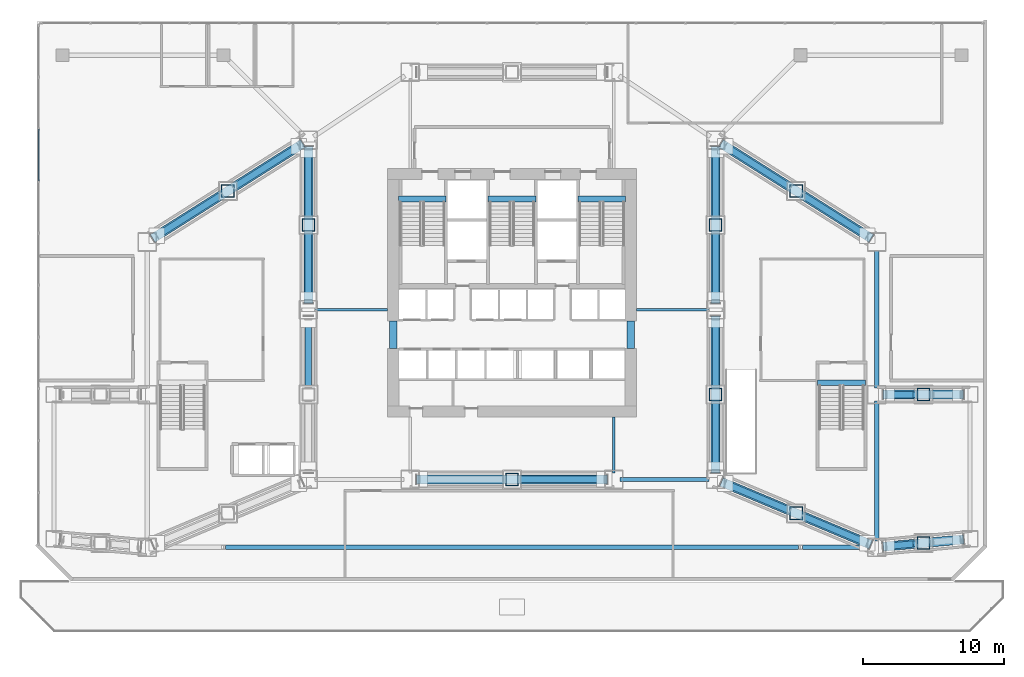
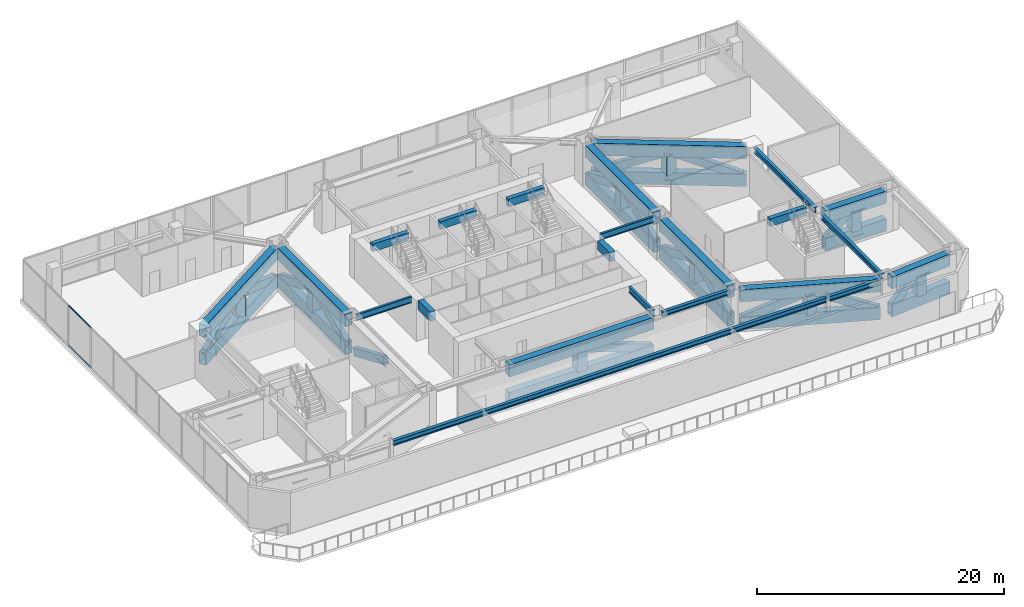
# One storey, part 9 of 39: 32 beams, 27 members, 1 element without a shape of its own.
"""IFC4 building model written with IfcOpenShell, lengths in metres."""

from ifc_helpers import new_model, si_unit, direction, frame, origin, origin_2d, place, context, subcontext, project, spatial, rectangle, hollow_rectangle, i_section, extrude, material, layer, layer_set, material_profile, profile_set, type_object, element, aggregate, save


model = new_model("IFC4")

# Units and contexts
model_context = context("Model", 3, precision=1e-05, world=origin(), true_north=direction((0.0, 1.0)))
body_context = subcontext(model_context, "Body", "Model", "MODEL_VIEW")
ifc_project = project(units=[si_unit("LENGTHUNIT", "METRE"), si_unit("AREAUNIT", "SQUARE_METRE"), si_unit("VOLUMEUNIT", "CUBIC_METRE"), si_unit("PLANEANGLEUNIT", "RADIAN"), si_unit("MASSUNIT", "GRAM", prefix="KILO")], contexts=[model_context])

# Site, building, storey
site_placement = place(None, origin())
site = spatial("IfcSite", under=ifc_project, at=site_placement, CompositionType="ELEMENT")
building_placement = place(site_placement, origin())
building = spatial("IfcBuilding", under=site, at=building_placement, Name="Haolan Belvedere Tower", CompositionType="ELEMENT")
storey_placement = place(building_placement, frame((0.0, 0.0, 19.800048828125)))
storey = spatial("IfcBuildingStorey", under=building, at=storey_placement, Name="L04", CompositionType="ELEMENT", Elevation=19.800048828125)

# Beams
ifc_material_1 = material(Name="Steel Q420GJC", Category="steel")
ifc_material_profile_1 = material_profile(ifc_material_1, hollow_rectangle(XDim=0.64990234375, YDim=1.199951171875, WallThickness=0.0400390625, at=origin_2d()), Name="Steel Q420GJC")
ifc_profile_set_1 = profile_set([ifc_material_profile_1], Name="Steel Q420GJC")
beam_type_1 = type_object("IfcBeamType", Name="BM-BOX1200x650x40", PredefinedType="BEAM", material=ifc_profile_set_1)
for number, where, z_axis, x_axis, name in (
    (1, (24.0, 34.050048828125, 3.33984375), (0.0, 1.0, 0.0), (-1.0, 0.0, 0.0), "L04 transfer truss TT-T3-W2 top chord"),
    (2, (24.0, 34.050048828125, 0.599853515625), (0.0, 1.0, 0.0), (-1.0, 0.0, 0.0), "L04 transfer truss TT-T3-W2 bottom chord"),
    (3, (52.800048828125, 22.050048828125, 3.33984375), (0.0, 1.0, 0.0), (-1.0, 0.0, 0.0), "L04 transfer truss TT-T3-E1 top chord"),
    (4, (52.800048828125, 22.050048828125, 0.599853515625), (0.0, 1.0, 0.0), (-1.0, 0.0, 0.0), "L04 transfer truss TT-T3-E1 bottom chord"),
    (5, (52.800048828125, 34.050048828125, 3.33984375), (0.0, 1.0, 0.0), (-1.0, 0.0, 0.0), "L04 transfer truss TT-T3-E2 top chord"),
    (6, (52.800048828125, 34.050048828125, 0.599853515625), (0.0, 1.0, 0.0), (-1.0, 0.0, 0.0), "L04 transfer truss TT-T3-E2 bottom chord"),
):
    element("IfcBeam", number, at=place(storey_placement, frame(where, z_axis=z_axis, x_axis=x_axis)), inside=storey, type_object=beam_type_1, Name=name, PredefinedType="BEAM", context=body_context, shape_type="SweptSolid", body=[
        extrude(hollow_rectangle(XDim=0.64990234375, YDim=1.199951171875, WallThickness=0.0400390625, at=origin_2d()), origin(), (0.0, 0.0, 1.0), 11.099853515625),
    ])
for number, where, z_axis, x_axis, name in (
    (7, (31.64990234375, 21.60009765625, 3.33984375), (1.0, 0.0, 0.0), (0.0, 1.0, 0.0), "L04 transfer truss TT-T3-SM top chord"),
    (8, (31.64990234375, 21.60009765625, 0.599853515625), (1.0, 0.0, 0.0), (0.0, 1.0, 0.0), "L04 transfer truss TT-T3-SM bottom chord"),
):
    element("IfcBeam", number, at=place(storey_placement, frame(where, z_axis=z_axis, x_axis=x_axis)), inside=storey, type_object=beam_type_1, Name=name, PredefinedType="BEAM", context=body_context, shape_type="SweptSolid", body=[
        extrude(hollow_rectangle(XDim=0.64990234375, YDim=1.199951171875, WallThickness=0.0400390625, at=origin_2d()), origin(), (0.0, 0.0, 1.0), 13.5),
    ])
for number, where, z_axis, x_axis, name in (
    (9, (12.98046875, 38.640380859375, 3.33984375), (0.845497201575, 0.5339798518, 0.0), (-0.5339798518, 0.845497201575, 0.0), "L04 transfer truss TT-T2-N top chord"),
    (10, (12.98046875, 38.640380859375, 0.599853515625), (0.845497201575, 0.5339798518, 0.0), (-0.5339798518, 0.845497201575, 0.0), "L04 transfer truss TT-T2-N bottom chord"),
):
    element("IfcBeam", number, at=place(storey_placement, frame(where, z_axis=z_axis, x_axis=x_axis)), inside=storey, type_object=beam_type_1, Name=name, PredefinedType="BEAM", context=body_context, shape_type="SweptSolid", body=[
        extrude(hollow_rectangle(XDim=0.64990234375, YDim=1.199951171875, WallThickness=0.0400390625, at=origin_2d()), origin(), (0.0, 0.0, 1.0), 12.583251953125),
    ])
for number, where, z_axis, x_axis, name in (
    (11, (53.21484375, 21.42529296875, 3.33984375), (0.92163457375, -0.38805890335, 0.0), (0.38805890335, 0.92163457375, 0.0), "L04 transfer truss TT-T4-S top chord"),
    (12, (53.21484375, 21.42529296875, 0.599853515625), (0.92163457375, -0.38805890335, 0.0), (0.38805890335, 0.92163457375, 0.0), "L04 transfer truss TT-T4-S bottom chord"),
):
    element("IfcBeam", number, at=place(storey_placement, frame(where, z_axis=z_axis, x_axis=x_axis)), inside=storey, type_object=beam_type_1, Name=name, PredefinedType="BEAM", context=body_context, shape_type="SweptSolid", body=[
        extrude(hollow_rectangle(XDim=0.64990234375, YDim=1.199951171875, WallThickness=0.0400390625, at=origin_2d()), origin(), (0.0, 0.0, 1.0), 11.468994140625),
    ])
for number, where, z_axis, x_axis, name in (
    (13, (53.180419921875, 45.359619140625, 3.33984375), (0.845497201575, -0.5339798518, 0.0), (0.5339798518, 0.845497201575, 0.0), "L04 transfer truss TT-T4-N top chord"),
    (14, (53.180419921875, 45.359619140625, 0.599853515625), (0.845497201575, -0.5339798518, 0.0), (0.5339798518, 0.845497201575, 0.0), "L04 transfer truss TT-T4-N bottom chord"),
):
    element("IfcBeam", number, at=place(storey_placement, frame(where, z_axis=z_axis, x_axis=x_axis)), inside=storey, type_object=beam_type_1, Name=name, PredefinedType="BEAM", context=body_context, shape_type="SweptSolid", body=[
        extrude(hollow_rectangle(XDim=0.64990234375, YDim=1.199951171875, WallThickness=0.0400390625, at=origin_2d()), origin(), (0.0, 0.0, 1.0), 12.583251953125),
    ])
for number, where, z_axis, x_axis, name in (
    (15, (64.648193359375, 16.8408203125, 3.33984375), (0.995892507606, 0.090543433189, 0.0), (-0.090543433189, 0.995892507606, 0.0), "L04 transfer truss TT-T5-S top chord"),
    (16, (64.648193359375, 16.8408203125, 0.599853515625), (0.995892507606, 0.090543433189, 0.0), (-0.090543433189, 0.995892507606, 0.0), "L04 transfer truss TT-T5-S bottom chord"),
):
    element("IfcBeam", number, at=place(storey_placement, frame(where, z_axis=z_axis, x_axis=x_axis)), inside=storey, type_object=beam_type_1, Name=name, PredefinedType="BEAM", context=body_context, shape_type="SweptSolid", body=[
        extrude(hollow_rectangle(XDim=0.64990234375, YDim=1.199951171875, WallThickness=0.0400390625, at=origin_2d()), origin(), (0.0, 0.0, 1.0), 5.72705078125),
    ])
for number, where, z_axis, x_axis, name in (
    (17, (64.64990234375, 27.60009765625, 3.33984375), (1.0, 0.0, 0.0), (0.0, 1.0, 0.0), "L04 transfer truss TT-T5-N top chord"),
    (18, (64.64990234375, 27.60009765625, 0.599853515625), (1.0, 0.0, 0.0), (0.0, 1.0, 0.0), "L04 transfer truss TT-T5-N bottom chord"),
):
    element("IfcBeam", number, at=place(storey_placement, frame(where, z_axis=z_axis, x_axis=x_axis)), inside=storey, type_object=beam_type_1, Name=name, PredefinedType="BEAM", context=body_context, shape_type="SweptSolid", body=[
        extrude(hollow_rectangle(XDim=0.64990234375, YDim=1.199951171875, WallThickness=0.0400390625, at=origin_2d()), origin(), (0.0, 0.0, 1.0), 5.7001953125),
    ])
ifc_material_2 = material(Name="Steel Q355B", Category="steel")
ifc_material_profile_2 = material_profile(ifc_material_2, i_section(OverallWidth=0.300048828125, OverallDepth=0.488037109375, WebThickness=0.010986328125, FlangeThickness=0.01806640625, FilletRadius=0.02587890625, at=origin_2d()), Name="Steel Q355B")
ifc_profile_set_2 = profile_set([ifc_material_profile_2], Name="Steel Q355B")
beam_type_2 = type_object("IfcBeamType", Name="BM-HM488x300x11x18", PredefinedType="SPANDREL", material=ifc_profile_set_2)
beam_1_placement = place(storey_placement, frame((46.050048828125, 21.60009765625, 3.755859375), z_axis=(1.0, 0.0, 0.0), x_axis=(0.0, 1.0, 0.0)))
element("IfcBeam", 19, at=beam_1_placement, inside=storey, type_object=beam_type_2, Name="L04 spandrel girder MC-T3-S2-MC-T3-SE", PredefinedType="SPANDREL", context=body_context, shape_type="SweptSolid", body=[
    extrude(i_section(OverallWidth=0.300048828125, OverallDepth=0.488037109375, WebThickness=0.010986328125, FlangeThickness=0.01806640625, FilletRadius=0.02587890625, at=origin_2d()), origin(), (0.0, 0.0, 1.0), 6.300048828125),
])
for number, where, z_axis, x_axis, name in (
    (20, (64.199951171875, 17.25, 3.755859375), (0.0, 1.0, 0.0), (-1.0, 0.0, 0.0), "L04 spandrel girder MC-T4-SE-MC-T4-ME"),
    (21, (64.199951171875, 28.050048828125, 3.755859375), (0.0, 1.0, 0.0), (-1.0, 0.0, 0.0), "L04 spandrel girder MC-T4-ME-MC-T4-NE"),
):
    element("IfcBeam", number, at=place(storey_placement, frame(where, z_axis=z_axis, x_axis=x_axis)), inside=storey, type_object=beam_type_2, Name=name, PredefinedType="SPANDREL", context=body_context, shape_type="SweptSolid", body=[
        extrude(i_section(OverallWidth=0.300048828125, OverallDepth=0.488037109375, WebThickness=0.010986328125, FlangeThickness=0.01806640625, FilletRadius=0.02587890625, at=origin_2d()), origin(), (0.0, 0.0, 1.0), 9.89990234375),
    ])
beam_2_placement = place(storey_placement, frame((18.14990234375, 16.800048828125, 3.716064453125), z_axis=(1.0, 0.0, 0.0), x_axis=(0.0, 1.0, 0.0)))
element("IfcBeam", 22, at=beam_2_placement, inside=storey, type_object=beam_type_2, Name="L04 spandrel girder PC-CS4-W-PC-CS4-E", PredefinedType="SPANDREL", context=body_context, shape_type="SweptSolid", body=[
    extrude(i_section(OverallWidth=0.300048828125, OverallDepth=0.488037109375, WebThickness=0.010986328125, FlangeThickness=0.01806640625, FilletRadius=0.02587890625, at=origin_2d()), origin(), (0.0, 0.0, 1.0), 40.5),
])
beam_3_placement = place(storey_placement, frame((58.949951171875, 16.800048828125, 3.716064453125), z_axis=(1.0, 0.0, 0.0), x_axis=(0.0, 1.0, 0.0)))
element("IfcBeam", 23, at=beam_3_placement, inside=storey, type_object=beam_type_2, Name="L04 spandrel girder PC-CS4-E-MC-T4-SE", PredefinedType="SPANDREL", context=body_context, shape_type="SweptSolid", body=[
    extrude(i_section(OverallWidth=0.300048828125, OverallDepth=0.488037109375, WebThickness=0.010986328125, FlangeThickness=0.01806640625, FilletRadius=0.02587890625, at=origin_2d()), origin(), (0.0, 0.0, 1.0), 4.800048828125),
])
ifc_material_profile_3 = material_profile(ifc_material_2, i_section(OverallWidth=0.199951171875, OverallDepth=0.60009765625, WebThickness=0.010986328125, FlangeThickness=0.01708984375, FilletRadius=0.02197265625, at=origin_2d()), Name="Steel Q355B")
ifc_profile_set_3 = profile_set([ifc_material_profile_3], Name="Steel Q355B")
beam_type_3 = type_object("IfcBeamType", Name="BM-HN600x200x11x17", PredefinedType="BEAM", material=ifc_profile_set_3)
for number, where, z_axis, x_axis, name in (
    (24, (24.449951171875, 33.60009765625, 3.699951171875), (1.0, 0.0, 0.0), (0.0, 1.0, 0.0), "L04 core tie beam from MC-T3-MW"),
    (25, (52.35009765625, 33.60009765625, 3.699951171875), (-1.0, 0.0, 0.0), (0.0, -1.0, 0.0), "L04 core tie beam from MC-T3-ME"),
):
    element("IfcBeam", number, at=place(storey_placement, frame(where, z_axis=z_axis, x_axis=x_axis)), inside=storey, type_object=beam_type_3, Name=name, PredefinedType="BEAM", context=body_context, shape_type="SweptSolid", body=[
        extrude(i_section(OverallWidth=0.199951171875, OverallDepth=0.60009765625, WebThickness=0.010986328125, FlangeThickness=0.01708984375, FilletRadius=0.02197265625, at=origin_2d()), origin(), (0.0, 0.0, 1.0), 5.150146484375),
    ])
beam_4_placement = place(storey_placement, frame((45.60009765625, 22.050048828125, 3.699951171875), z_axis=(0.0, 1.0, 0.0), x_axis=(-1.0, 0.0, 0.0)))
element("IfcBeam", 26, at=beam_4_placement, inside=storey, type_object=beam_type_3, Name="L04 core tie beam from MC-T3-S2", PredefinedType="BEAM", context=body_context, shape_type="SweptSolid", body=[
    extrude(i_section(OverallWidth=0.199951171875, OverallDepth=0.60009765625, WebThickness=0.010986328125, FlangeThickness=0.01708984375, FilletRadius=0.02197265625, at=origin_2d()), origin(), (0.0, 0.0, 1.0), 3.949951171875),
])
ifc_material_3 = material(Name="Concrete C50/60", Category="concrete")
ifc_material_profile_4 = material_profile(ifc_material_3, rectangle(XDim=0.39990234375, YDim=0.75, at=origin_2d()), Name="Concrete C50/60")
ifc_profile_set_4 = profile_set([ifc_material_profile_4], Name="Concrete C50/60")
beam_type_4 = type_object("IfcBeamType", Name="BM-RC400x750", PredefinedType="T_BEAM", material=ifc_profile_set_4)
beam_5_placement = place(storey_placement, frame((30.3798828125, 41.429931640625, 3.824951171875), z_axis=(1.0, 0.0, 0.0), x_axis=(0.0, 1.0, 0.0)))
element("IfcBeam", 27, at=beam_5_placement, inside=storey, type_object=beam_type_4, Name="L05 stair ST1 RC header trimmer beam", PredefinedType="BEAM", context=body_context, shape_type="SweptSolid", body=[
    extrude(rectangle(XDim=0.39990234375, YDim=0.75, at=origin_2d()), origin(), (0.0, 0.0, 1.0), 3.360107421875),
])
beam_6_placement = place(storey_placement, frame((36.699951171875, 41.429931640625, 3.824951171875), z_axis=(1.0, 0.0, 0.0), x_axis=(0.0, 1.0, 0.0)))
element("IfcBeam", 28, at=beam_6_placement, inside=storey, type_object=beam_type_4, Name="L05 stair ST3 RC header trimmer beam", PredefinedType="BEAM", context=body_context, shape_type="SweptSolid", body=[
    extrude(rectangle(XDim=0.39990234375, YDim=0.75, at=origin_2d()), origin(), (0.0, 0.0, 1.0), 3.400146484375),
])
beam_7_placement = place(storey_placement, frame((43.06005859375, 41.429931640625, 3.824951171875), z_axis=(1.0, 0.0, 0.0), x_axis=(0.0, 1.0, 0.0)))
element("IfcBeam", 29, at=beam_7_placement, inside=storey, type_object=beam_type_4, Name="L05 stair ST2 RC header trimmer beam", PredefinedType="BEAM", context=body_context, shape_type="SweptSolid", body=[
    extrude(rectangle(XDim=0.39990234375, YDim=0.75, at=origin_2d()), origin(), (0.0, 0.0, 1.0), 3.35986328125),
])
beam_8_placement = place(storey_placement, frame((60.010009765625, 28.429931640625, 3.824951171875), z_axis=(1.0, 0.0, 0.0), x_axis=(0.0, 1.0, 0.0)))
element("IfcBeam", 30, at=beam_8_placement, inside=storey, type_object=beam_type_4, Name="L05 podium stair ST5 RC header trimmer beam", PredefinedType="BEAM", context=body_context, shape_type="SweptSolid", body=[
    extrude(rectangle(XDim=0.39990234375, YDim=0.75, at=origin_2d()), origin(), (0.0, 0.0, 1.0), 3.39990234375),
])
ifc_material_4 = material(Name="Concrete C60/75", Category="concrete")
ifc_material_profile_5 = material_profile(ifc_material_4, rectangle(XDim=0.5, YDim=0.89990234375, at=origin_2d()), Name="Concrete C60/75")
ifc_profile_set_5 = profile_set([ifc_material_profile_5], Name="Concrete C60/75")
beam_type_5 = type_object("IfcBeamType", Name="BM-RC500x900", PredefinedType="LINTEL", material=ifc_profile_set_5)
for number, where, z_axis, x_axis, name in (
    (31, (30.0, 30.85009765625, 3.550048828125), (0.0, 1.0, 0.0), (-1.0, 0.0, 0.0), "L04 west core coupling beam CB-01"),
    (32, (46.800048828125, 30.85009765625, 3.550048828125), (0.0, 1.0, 0.0), (-1.0, 0.0, 0.0), "L04 east core coupling beam CB-01"),
):
    element("IfcBeam", number, at=place(storey_placement, frame(where, z_axis=z_axis, x_axis=x_axis)), inside=storey, type_object=beam_type_5, Name=name, PredefinedType="LINTEL", context=body_context, shape_type="SweptSolid", body=[
        extrude(rectangle(XDim=0.5, YDim=0.89990234375, at=origin_2d()), origin(), (0.0, 0.0, 1.0), 1.949951171875),
    ])

# Curtain wall, members
ifc_material_5 = material(Name="Anodised champagne-silver aluminium 6063-T6 and Low-E glass", Category="aluminium")
ifc_layer = layer(ifc_material_5, 0.179931640625, Name="Anodised champagne-silver aluminium 6063-T6 and Low-E glass")
ifc_layer_set = layer_set([ifc_layer], Name="Anodised champagne-silver aluminium 6063-T6 and Low-E glass")
curtain_wall_type = type_object("IfcCurtainWallType", Name="CW-SYS-01", PredefinedType="NOTDEFINED", material=ifc_layer_set)
curtain_wall_placement = place(storey_placement, origin())
curtain_wall = element("IfcCurtainWall", 33, at=curtain_wall_placement, inside=storey, type_object=curtain_wall_type, Name="L04 CW-SYS-01 ribbon curtain wall 4.1", PredefinedType="NOTDEFINED")
ifc_material_6 = material(Name="Anodised aluminium 6063-T6", Category="aluminium")
ifc_material_profile_6 = material_profile(ifc_material_6, hollow_rectangle(XDim=0.06005859375, YDim=0.139892578125, WallThickness=0.00390625, at=origin_2d()), Name="Anodised aluminium 6063-T6")
ifc_profile_set_6 = profile_set([ifc_material_profile_6], Name="Anodised aluminium 6063-T6")
member_type_1 = type_object("IfcMemberType", Name="CW-SYS-01-TRN", PredefinedType="USERDEFINED", material=ifc_profile_set_6)
member_1_placement = place(storey_placement, frame((4.929931640625, 46.350341796875, 0.030029296875), z_axis=(0.0, -1.0, 0.0), x_axis=(1.0, 0.0, 0.0)))
member_1 = element("IfcMember", 34, at=member_1_placement, type_object=member_type_1, Name="CW-01 transom 3.1", ObjectType="TRANSOM", PredefinedType="USERDEFINED", context=body_context, shape_type="SweptSolid", body=[
    extrude(hollow_rectangle(XDim=0.06005859375, YDim=0.139892578125, WallThickness=0.00390625, at=origin_2d()), origin(), (0.0, 0.0, 1.0), 3.608642578125),
])
member_2_placement = place(storey_placement, frame((4.929931640625, 46.350341796875, 3.969970703125), z_axis=(0.0, -1.0, 0.0), x_axis=(1.0, 0.0, 0.0)))
member_2 = element("IfcMember", 35, at=member_2_placement, type_object=member_type_1, Name="CW-01 transom 3.2", ObjectType="TRANSOM", PredefinedType="USERDEFINED", context=body_context, shape_type="SweptSolid", body=[
    extrude(hollow_rectangle(XDim=0.06005859375, YDim=0.139892578125, WallThickness=0.00390625, at=origin_2d()), origin(), (0.0, 0.0, 1.0), 3.608642578125),
])
aggregate(curtain_wall, [member_1, member_2])

# Members
ifc_material_7 = material(Name="Steel Q390GJC", Category="steel")
ifc_material_profile_7 = material_profile(ifc_material_7, hollow_rectangle(XDim=0.449951171875, YDim=0.75, WallThickness=0.028076171875, at=origin_2d()), Name="Steel Q390GJC")
ifc_profile_set_7 = profile_set([ifc_material_profile_7], Name="Steel Q390GJC")
member_type_2 = type_object("IfcMemberType", Name="MEM-BOX750x450x28", PredefinedType="BRACE", material=ifc_profile_set_7)
member_3_placement = place(storey_placement, frame((24.0, 32.909912109375, 0.93994140625), z_axis=(0.0, -0.919824258832, 0.39233064227), x_axis=(1.0, 0.0, 0.0)))
element("IfcMember", 36, at=member_3_placement, inside=storey, type_object=member_type_2, Name="L04 transfer truss TT-T3-W1 web diagonal 2", PredefinedType="BRACE", context=body_context, shape_type="SweptSolid", body=[
    extrude(hollow_rectangle(XDim=0.449951171875, YDim=0.75, WallThickness=0.028076171875, at=origin_2d()), origin(), (0.0, 0.0, 1.0), 5.250732421875),
])
member_4_placement = place(storey_placement, frame((24.0, 34.2900390625, 0.93994140625), z_axis=(0.0, 0.919831415145, 0.392313863778), x_axis=(-1.0, 0.0, 0.0)))
element("IfcMember", 37, at=member_4_placement, inside=storey, type_object=member_type_2, Name="L04 transfer truss TT-T3-W2 web diagonal 1", PredefinedType="BRACE", context=body_context, shape_type="SweptSolid", body=[
    extrude(hollow_rectangle(XDim=0.449951171875, YDim=0.75, WallThickness=0.028076171875, at=origin_2d()), origin(), (0.0, 0.0, 1.0), 5.2509765625),
])
member_5_placement = place(storey_placement, frame((24.0, 44.909912109375, 0.93994140625), z_axis=(0.0, -0.919824258832, 0.39233064227), x_axis=(1.0, 0.0, 0.0)))
element("IfcMember", 38, at=member_5_placement, inside=storey, type_object=member_type_2, Name="L04 transfer truss TT-T3-W2 web diagonal 2", PredefinedType="BRACE", context=body_context, shape_type="SweptSolid", body=[
    extrude(hollow_rectangle(XDim=0.449951171875, YDim=0.75, WallThickness=0.028076171875, at=origin_2d()), origin(), (0.0, 0.0, 1.0), 5.250732421875),
])
member_6_placement = place(storey_placement, frame((52.800048828125, 22.2900390625, 0.93994140625), z_axis=(0.0, 0.919831415145, 0.392313863778), x_axis=(-1.0, 0.0, 0.0)))
element("IfcMember", 39, at=member_6_placement, inside=storey, type_object=member_type_2, Name="L04 transfer truss TT-T3-E1 web diagonal 1", PredefinedType="BRACE", context=body_context, shape_type="SweptSolid", body=[
    extrude(hollow_rectangle(XDim=0.449951171875, YDim=0.75, WallThickness=0.028076171875, at=origin_2d()), origin(), (0.0, 0.0, 1.0), 5.2509765625),
])
member_7_placement = place(storey_placement, frame((52.800048828125, 32.909912109375, 0.93994140625), z_axis=(0.0, -0.919824258832, 0.39233064227), x_axis=(1.0, 0.0, 0.0)))
element("IfcMember", 40, at=member_7_placement, inside=storey, type_object=member_type_2, Name="L04 transfer truss TT-T3-E1 web diagonal 2", PredefinedType="BRACE", context=body_context, shape_type="SweptSolid", body=[
    extrude(hollow_rectangle(XDim=0.449951171875, YDim=0.75, WallThickness=0.028076171875, at=origin_2d()), origin(), (0.0, 0.0, 1.0), 5.250732421875),
])
member_8_placement = place(storey_placement, frame((52.800048828125, 34.2900390625, 0.93994140625), z_axis=(0.0, 0.919831415145, 0.392313863778), x_axis=(-1.0, 0.0, 0.0)))
element("IfcMember", 41, at=member_8_placement, inside=storey, type_object=member_type_2, Name="L04 transfer truss TT-T3-E2 web diagonal 1", PredefinedType="BRACE", context=body_context, shape_type="SweptSolid", body=[
    extrude(hollow_rectangle(XDim=0.449951171875, YDim=0.75, WallThickness=0.028076171875, at=origin_2d()), origin(), (0.0, 0.0, 1.0), 5.2509765625),
])
member_9_placement = place(storey_placement, frame((52.800048828125, 44.909912109375, 0.93994140625), z_axis=(0.0, -0.919824258832, 0.39233064227), x_axis=(1.0, 0.0, 0.0)))
element("IfcMember", 42, at=member_9_placement, inside=storey, type_object=member_type_2, Name="L04 transfer truss TT-T3-E2 web diagonal 2", PredefinedType="BRACE", context=body_context, shape_type="SweptSolid", body=[
    extrude(hollow_rectangle(XDim=0.449951171875, YDim=0.75, WallThickness=0.028076171875, at=origin_2d()), origin(), (0.0, 0.0, 1.0), 5.250732421875),
])
member_10_placement = place(storey_placement, frame((44.909912109375, 21.60009765625, 0.93994140625), z_axis=(-0.94630069303, 0.0, 0.323287794963), x_axis=(0.0, -1.0, 0.0)))
element("IfcMember", 43, at=member_10_placement, inside=storey, type_object=member_type_2, Name="L04 transfer truss TT-T3-SM web diagonal 2", PredefinedType="BRACE", context=body_context, shape_type="SweptSolid", body=[
    extrude(hollow_rectangle(XDim=0.449951171875, YDim=0.75, WallThickness=0.028076171875, at=origin_2d()), origin(), (0.0, 0.0, 1.0), 6.372314453125),
])
member_11_placement = place(storey_placement, frame((13.28369140625, 38.831787109375, 0.93994140625), z_axis=(0.790938727135, 0.499524818562, 0.353399045781), x_axis=(-0.533981200217, 0.845496349971, 0.0)))
element("IfcMember", 44, at=member_11_placement, inside=storey, type_object=member_type_2, Name="L04 transfer truss TT-T2-N web diagonal 1", PredefinedType="BRACE", context=body_context, shape_type="SweptSolid", body=[
    extrude(hollow_rectangle(XDim=0.449951171875, YDim=0.75, WallThickness=0.028076171875, at=origin_2d()), origin(), (0.0, 0.0, 1.0), 5.829345703125),
])
member_12_placement = place(storey_placement, frame((23.316162109375, 45.168212890625, 0.93994140625), z_axis=(-0.790923045124, -0.499541366193, 0.353410752741), x_axis=(0.534001413908, -0.845483583486, 0.0)))
element("IfcMember", 45, at=member_12_placement, inside=storey, type_object=member_type_2, Name="L04 transfer truss TT-T2-N web diagonal 2", PredefinedType="BRACE", context=body_context, shape_type="SweptSolid", body=[
    extrude(hollow_rectangle(XDim=0.449951171875, YDim=0.75, WallThickness=0.028076171875, at=origin_2d()), origin(), (0.0, 0.0, 1.0), 5.8291015625),
])
for number, where, z_axis, x_axis, name in (
    (46, (53.48681640625, 21.310791015625, 0.93994140625), (0.851127663776, -0.358371935346, 0.383602992573), (0.388059200809, 0.921634448503, 0.0), "L04 transfer truss TT-T4-S web diagonal 1"),
    (47, (63.51318359375, 17.089111328125, 0.93994140625), (-0.851127663776, 0.358371935346, 0.383602992573), (-0.388059200809, -0.921634448503, 0.0), "L04 transfer truss TT-T4-S web diagonal 2"),
):
    element("IfcMember", number, at=place(storey_placement, frame(where, z_axis=z_axis, x_axis=x_axis)), inside=storey, type_object=member_type_2, Name=name, PredefinedType="BRACE", context=body_context, shape_type="SweptSolid", body=[
        extrude(hollow_rectangle(XDim=0.449951171875, YDim=0.75, WallThickness=0.028076171875, at=origin_2d()), origin(), (0.0, 0.0, 1.0), 5.370361328125),
    ])
for number, where, z_axis, x_axis, name in (
    (48, (53.48388671875, 45.168212890625, 0.93994140625), (0.790923045124, -0.499541366193, 0.353410752741), (0.534001413908, 0.845483583486, 0.0), "L04 transfer truss TT-T4-N web diagonal 1"),
    (49, (63.51611328125, 38.831787109375, 0.93994140625), (-0.790923045124, 0.499541366193, 0.353410752741), (-0.534001413908, -0.845483583486, 0.0), "L04 transfer truss TT-T4-N web diagonal 2"),
):
    element("IfcMember", number, at=place(storey_placement, frame(where, z_axis=z_axis, x_axis=x_axis)), inside=storey, type_object=member_type_2, Name=name, PredefinedType="BRACE", context=body_context, shape_type="SweptSolid", body=[
        extrude(hollow_rectangle(XDim=0.449951171875, YDim=0.75, WallThickness=0.028076171875, at=origin_2d()), origin(), (0.0, 0.0, 1.0), 5.8291015625),
    ])
member_13_placement = place(storey_placement, frame((64.889892578125, 16.86279296875, 0.93994140625), z_axis=(0.717620364915, 0.065163511895, 0.693379209796), x_axis=(-0.090432923515, 0.995902548618, 0.0)))
element("IfcMember", 50, at=member_13_placement, inside=storey, type_object=member_type_2, Name="L04 transfer truss TT-T5-S web diagonal 1", PredefinedType="BRACE", context=body_context, shape_type="SweptSolid", body=[
    extrude(hollow_rectangle(XDim=0.449951171875, YDim=0.75, WallThickness=0.028076171875, at=origin_2d()), origin(), (0.0, 0.0, 1.0), 2.970947265625),
])
member_14_placement = place(storey_placement, frame((64.889892578125, 27.60009765625, 0.93994140625), z_axis=(0.718830538926, 0.0, 0.695185339537), x_axis=(0.0, 1.0, 0.0)))
element("IfcMember", 51, at=member_14_placement, inside=storey, type_object=member_type_2, Name="L04 transfer truss TT-T5-N web diagonal 1", PredefinedType="BRACE", context=body_context, shape_type="SweptSolid", body=[
    extrude(hollow_rectangle(XDim=0.449951171875, YDim=0.75, WallThickness=0.028076171875, at=origin_2d()), origin(), (0.0, 0.0, 1.0), 2.96337890625),
])
ifc_material_profile_8 = material_profile(ifc_material_7, hollow_rectangle(XDim=0.89990234375, YDim=0.89990234375, WallThickness=0.033935546875, at=origin_2d()), Name="Steel Q390GJC")
ifc_profile_set_8 = profile_set([ifc_material_profile_8], Name="Steel Q390GJC")
member_type_3 = type_object("IfcMemberType", Name="MEM-BOX900x900x34", PredefinedType="POST", material=ifc_profile_set_8)
for number, where, z_axis, x_axis, name in (
    (52, (24.0, 39.60009765625, 1.0400390625), (0.0, 0.0, 1.0), (1.0, 0.0, 0.0), "L04 transfer truss TT-T3-W2 web post"),
    (53, (52.800048828125, 27.60009765625, 1.0400390625), (0.0, 0.0, 1.0), (1.0, 0.0, 0.0), "L04 transfer truss TT-T3-E1 web post"),
    (54, (52.800048828125, 39.60009765625, 1.0400390625), (0.0, 0.0, 1.0), (1.0, 0.0, 0.0), "L04 transfer truss TT-T3-E2 web post"),
    (55, (38.39990234375, 21.60009765625, 1.0400390625), (0.0, 0.0, 1.0), (1.0, 0.0, 0.0), "L04 transfer truss TT-T3-SM web post"),
    (56, (18.300048828125, 42.0, 1.0400390625), (0.0, 0.0, 1.0), (1.0, 0.0, 0.0), "L04 transfer truss TT-T2-N web post"),
    (57, (58.5, 19.199951171875, 1.0400390625), (0.0, 0.0, 1.0), (1.0, 0.0, 0.0), "L04 transfer truss TT-T4-S web post"),
    (58, (58.5, 42.0, 1.0400390625), (0.0, 0.0, 1.0), (1.0, 0.0, 0.0), "L04 transfer truss TT-T4-N web post"),
    (59, (67.5, 17.10009765625, 1.0400390625), (0.0, 0.0, 1.0), (1.0, 0.0, 0.0), "L04 transfer truss TT-T5-S web post"),
    (60, (67.5, 27.60009765625, 1.0400390625), (0.0, 0.0, 1.0), (1.0, 0.0, 0.0), "L04 transfer truss TT-T5-N web post"),
):
    element("IfcMember", number, at=place(storey_placement, frame(where, z_axis=z_axis, x_axis=x_axis)), inside=storey, type_object=member_type_3, Name=name, PredefinedType="POST", context=body_context, shape_type="SweptSolid", body=[
        extrude(hollow_rectangle(XDim=0.89990234375, YDim=0.89990234375, WallThickness=0.033935546875, at=origin_2d()), origin(), (0.0, 0.0, 1.0), 1.85986328125),
    ])

save(model, "model.ifc")
